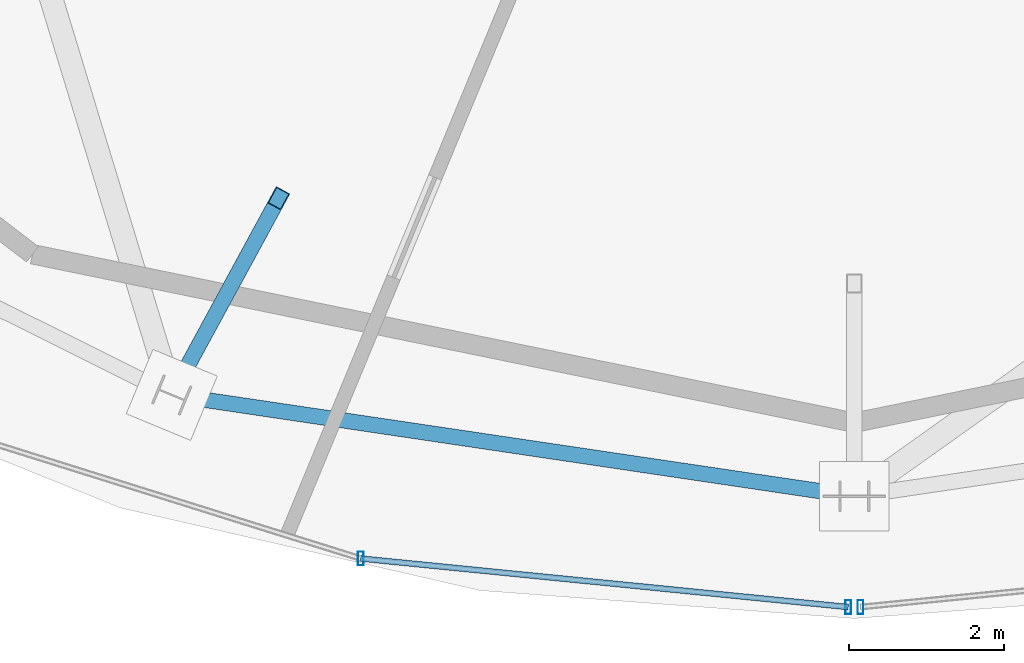
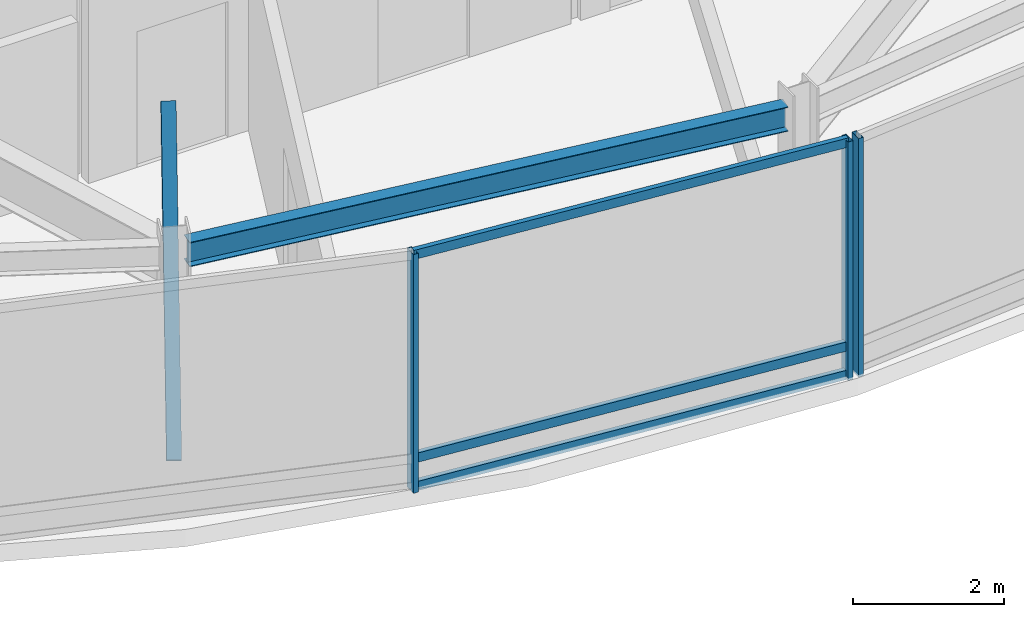
# One storey, part 6 of 28: 7 members, 1 beam, 2 elements without a shape of their own.
"""IFC4 building model written with IfcOpenShell, lengths in metres."""

from ifc_helpers import new_model, si_unit, direction, frame, origin, origin_2d, place, context, subcontext, project, spatial, hollow_rectangle, i_section, extrude, material, material_profile, profile_set, type_object, element, aggregate, save


model = new_model("IFC4")

# Units and contexts
model_context = context("Model", 3, precision=1e-05, world=origin(), true_north=direction((0.0, 1.0)))
body_context = subcontext(model_context, "Body", "Model", "MODEL_VIEW")
ifc_project = project(units=[si_unit("LENGTHUNIT", "METRE"), si_unit("AREAUNIT", "SQUARE_METRE"), si_unit("VOLUMEUNIT", "CUBIC_METRE"), si_unit("PLANEANGLEUNIT", "RADIAN"), si_unit("MASSUNIT", "GRAM", prefix="KILO")], contexts=[model_context])

# Site, building, storey
site_placement = place(None, origin())
site = spatial("IfcSite", under=ifc_project, at=site_placement, CompositionType="ELEMENT")
building_placement = place(site_placement, origin())
building = spatial("IfcBuilding", under=site, at=building_placement, Name="Vorneva Point Tower", CompositionType="ELEMENT")
storey_placement = place(building_placement, frame((0.0, 0.0, 295.39990234375)))
storey = spatial("IfcBuildingStorey", under=building, at=storey_placement, Name="C01", CompositionType="ELEMENT", Elevation=295.39990234375)

# Beam
ifc_material_1 = material(Name="Steel S355", Category="steel")
ifc_material_profile_1 = material_profile(ifc_material_1, i_section(OverallWidth=0.198974609375, OverallDepth=0.39599609375, WebThickness=0.007080078125, FlangeThickness=0.010986328125, at=origin_2d()), Name="40B1")
ifc_profile_set_1 = profile_set([ifc_material_profile_1], Name="Steel S355")
beam_type = type_object("IfcBeamType", Name="BM-SPN-40B1", PredefinedType="SPANDREL", material=ifc_profile_set_1)
beam_placement = place(storey_placement, frame((29.362060546875, 10.08203125, 3.35205078125), z_axis=(0.989164167153, -0.146813658836, 0.0), x_axis=(0.146813658836, 0.989164167153, 0.0)))
element("IfcBeam", 1, at=beam_placement, inside=storey, type_object=beam_type, Name="C01 Perimeter Spandrel Ring Beam 12", PredefinedType="SPANDREL", context=body_context, shape_type="SweptSolid", body=[
    extrude(i_section(OverallWidth=0.198974609375, OverallDepth=0.39599609375, WebThickness=0.007080078125, FlangeThickness=0.010986328125, at=origin_2d()), origin(), (0.0, 0.0, 1.0), 8.54736328125),
])

# Curtain wall, members
ifc_material_2 = material(Name="Pale anodised aluminium", Category="aluminium")
curtain_wall_type = type_object("IfcCurtainWallType", Name="CW-CRN-SYS", PredefinedType="NOTDEFINED", material=ifc_material_2)
curtain_wall_1_placement = place(storey_placement, origin())
curtain_wall_1 = element("IfcCurtainWall", 2, at=curtain_wall_1_placement, inside=storey, type_object=curtain_wall_type, Name="C01 Unitised Curtain Wall CW-C01-Q3", PredefinedType="NOTDEFINED")
ifc_material_profile_2 = material_profile(ifc_material_2, hollow_rectangle(XDim=0.074951171875, YDim=0.179931640625, WallThickness=0.00390625, at=origin_2d()), Name="AL-MUL 180x75x4")
ifc_profile_set_2 = profile_set([ifc_material_profile_2], Name="Pale anodised aluminium")
member_type_1 = type_object("IfcMemberType", Name="CW-MUL-180", PredefinedType="MULLION", material=ifc_profile_set_2)
member_1_placement = place(storey_placement, frame((31.6201171875, 7.9951171875, -0.039794921875), z_axis=(0.0, 0.0, 1.0), x_axis=(1.0, 0.0, 0.0)))
member_1 = element("IfcMember", 3, at=member_1_placement, type_object=member_type_1, Name="CW-C01-Q3 Mullion 06", PredefinedType="MULLION", context=body_context, shape_type="SweptSolid", body=[
    extrude(hollow_rectangle(XDim=0.074951171875, YDim=0.179931640625, WallThickness=0.00390625, at=origin_2d()), origin(), (0.0, 0.0, 1.0), 3.869873046875),
])
member_2_placement = place(storey_placement, frame((37.92041015625, 7.367919921875, -0.039794921875), z_axis=(0.0, 0.0, 1.0), x_axis=(1.0, 0.0, 0.0)))
member_2 = element("IfcMember", 4, at=member_2_placement, type_object=member_type_1, Name="CW-C01-Q3 Mullion 07", PredefinedType="MULLION", context=body_context, shape_type="SweptSolid", body=[
    extrude(hollow_rectangle(XDim=0.074951171875, YDim=0.179931640625, WallThickness=0.00390625, at=origin_2d()), origin(), (0.0, 0.0, 1.0), 3.869873046875),
])

# Curtain wall, member
curtain_wall_2_placement = place(storey_placement, origin())
curtain_wall_2 = element("IfcCurtainWall", 5, at=curtain_wall_2_placement, inside=storey, type_object=curtain_wall_type, Name="C01 Unitised Curtain Wall CW-C01-Q4", PredefinedType="NOTDEFINED")
member_3_placement = place(storey_placement, frame((38.07958984375, 7.367919921875, -0.039794921875), z_axis=(0.0, 0.0, 1.0), x_axis=(1.0, 0.0, 0.0)))
member_3 = element("IfcMember", 6, at=member_3_placement, type_object=member_type_1, Name="CW-C01-Q4 Mullion 01", PredefinedType="MULLION", context=body_context, shape_type="SweptSolid", body=[
    extrude(hollow_rectangle(XDim=0.074951171875, YDim=0.179931640625, WallThickness=0.00390625, at=origin_2d()), origin(), (0.0, 0.0, 1.0), 3.869873046875),
])
aggregate(curtain_wall_2, [member_3])

# Member
ifc_material_profile_3 = material_profile(ifc_material_2, hollow_rectangle(XDim=0.074951171875, YDim=0.14990234375, WallThickness=0.00390625, at=origin_2d()), Name="AL-TRN 150x75x4")
ifc_profile_set_3 = profile_set([ifc_material_profile_3], Name="Pale anodised aluminium")
member_type_2 = type_object("IfcMemberType", Name="CW-TRN-150", PredefinedType="USERDEFINED", material=ifc_profile_set_3)
member_4_placement = place(storey_placement, frame((31.6201171875, 7.9951171875, 0.02001953125), z_axis=(0.995081378477, -0.09906084094, 0.0), x_axis=(0.09906084094, 0.995081378477, 0.0)))
member_4 = element("IfcMember", 7, at=member_4_placement, type_object=member_type_2, Name="CW-C01-Q3 Transom 06.1", ObjectType="TRANSOM", PredefinedType="USERDEFINED", context=body_context, shape_type="SweptSolid", body=[
    extrude(hollow_rectangle(XDim=0.074951171875, YDim=0.14990234375, WallThickness=0.00390625, at=origin_2d()), origin(), (0.0, 0.0, 1.0), 6.33154296875),
])

member_5_placement = place(storey_placement, frame((31.6201171875, 7.9951171875, 0.47998046875), z_axis=(0.995081378477, -0.09906084094, 0.0), x_axis=(0.09906084094, 0.995081378477, 0.0)))
member_5 = element("IfcMember", 8, at=member_5_placement, type_object=member_type_2, Name="CW-C01-Q3 Transom 06.2", ObjectType="TRANSOM", PredefinedType="USERDEFINED", context=body_context, shape_type="SweptSolid", body=[
    extrude(hollow_rectangle(XDim=0.074951171875, YDim=0.14990234375, WallThickness=0.00390625, at=origin_2d()), origin(), (0.0, 0.0, 1.0), 6.33154296875),
])

member_6_placement = place(storey_placement, frame((31.6201171875, 7.9951171875, 3.780029296875), z_axis=(0.995081378477, -0.09906084094, 0.0), x_axis=(0.09906084094, 0.995081378477, 0.0)))
member_6 = element("IfcMember", 9, at=member_6_placement, type_object=member_type_2, Name="CW-C01-Q3 Transom 06.3", ObjectType="TRANSOM", PredefinedType="USERDEFINED", context=body_context, shape_type="SweptSolid", body=[
    extrude(hollow_rectangle(XDim=0.074951171875, YDim=0.14990234375, WallThickness=0.00390625, at=origin_2d()), origin(), (0.0, 0.0, 1.0), 6.33154296875),
])

aggregate(curtain_wall_1, [member_1, member_2, member_4, member_5, member_6])

ifc_material_profile_4 = material_profile(ifc_material_1, hollow_rectangle(XDim=0.199951171875, YDim=0.300048828125, WallThickness=0.011962890625, at=origin_2d()), Name="PP 300x200x12")
ifc_profile_set_4 = profile_set([ifc_material_profile_4], Name="Steel S355")
member_type_3 = type_object("IfcMemberType", Name="MBR-CRN-PP300", PredefinedType="CHORD", material=ifc_profile_set_4)
member_7_placement = place(storey_placement, frame((29.17919921875, 10.109375, 0.0), z_axis=(0.289133296145, 0.532046167938, 0.795819585235), x_axis=(-0.878639911504, 0.477484979777, 0.0)))
element("IfcMember", 10, at=member_7_placement, inside=storey, type_object=member_type_3, Name="Crown Tapered Frame Rib C01-12", PredefinedType="CHORD", context=body_context, shape_type="SweptSolid", body=[
    extrude(hollow_rectangle(XDim=0.199951171875, YDim=0.300048828125, WallThickness=0.011962890625, at=origin_2d()), origin(), (0.0, 0.0, 1.0), 4.77490234375),
])

save(model, "model.ifc")
